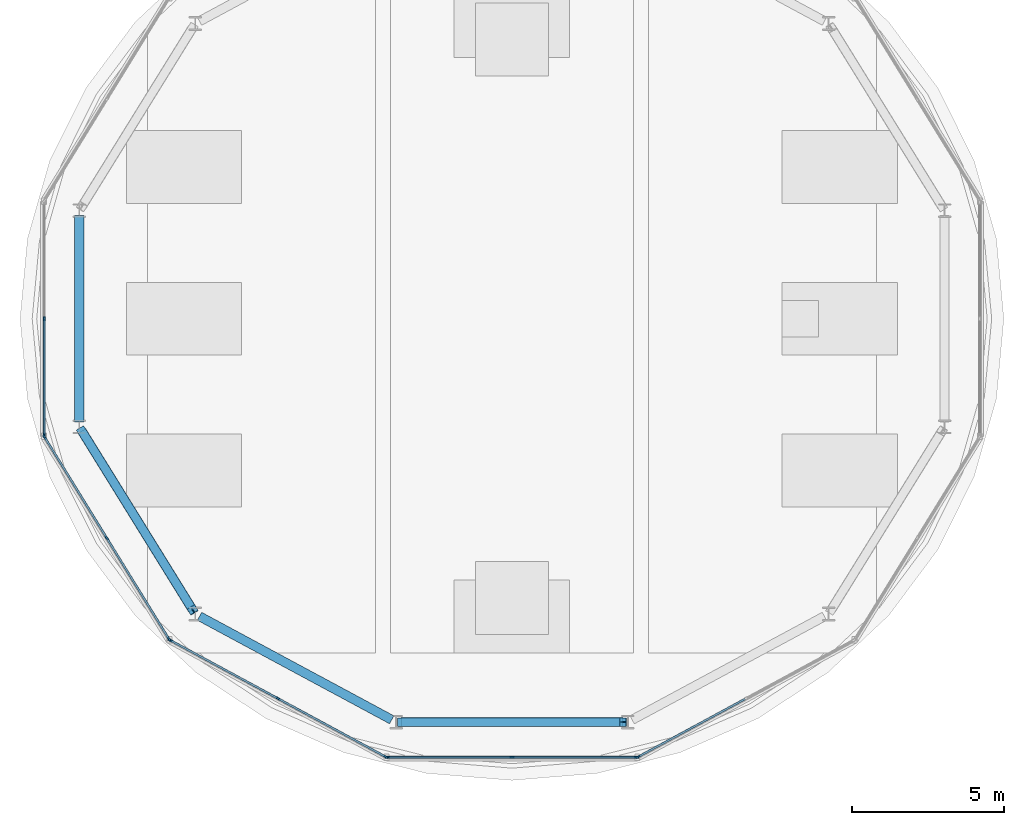
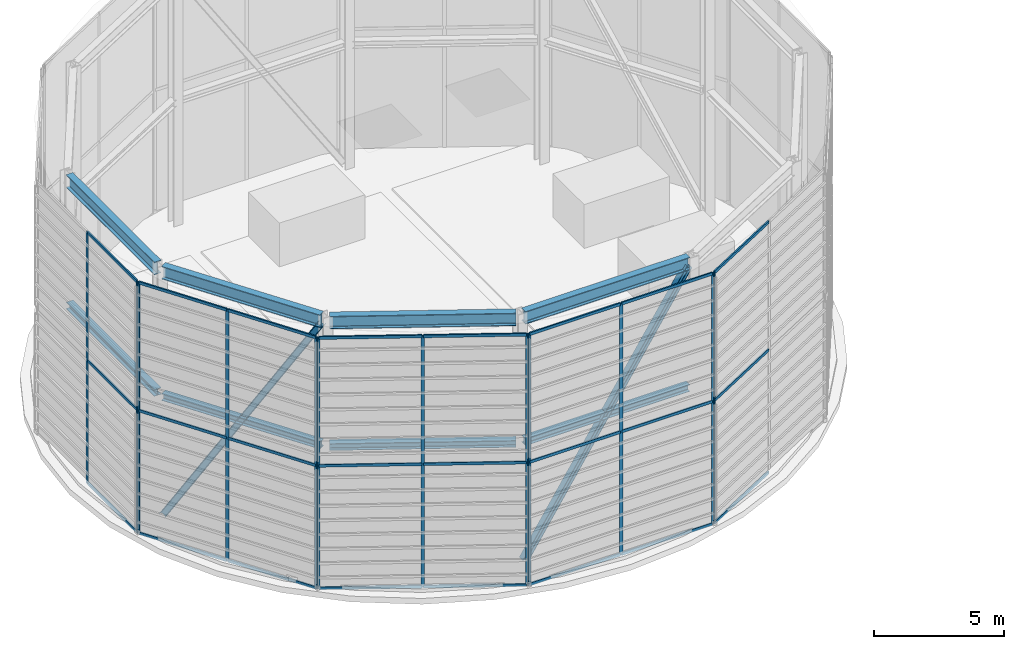
# One storey, part 3 of 17: 38 members, 8 beams, 5 elements without a shape of their own.
"""IFC4 building model written with IfcOpenShell, lengths in metres."""

from ifc_helpers import new_model, si_unit, direction, frame, origin, origin_2d, place, context, subcontext, project, spatial, rectangle, i_section, extrude, source, transform, mapped, material, layer, layer_set, material_profile, profile_set, type_object, type_shapes, element, aggregate, save


model = new_model("IFC4")

# Units and contexts
model_context = context("Model", 3, precision=1e-05, world=origin(), true_north=direction((0.0, 1.0)))
body_context = subcontext(model_context, "Body", "Model", "MODEL_VIEW")
ifc_project = project(units=[si_unit("LENGTHUNIT", "METRE"), si_unit("AREAUNIT", "SQUARE_METRE"), si_unit("VOLUMEUNIT", "CUBIC_METRE"), si_unit("PLANEANGLEUNIT", "RADIAN"), si_unit("MASSUNIT", "GRAM", prefix="KILO")], contexts=[model_context])

# Site, building, storey
site_placement = place(None, origin())
site = spatial("IfcSite", under=ifc_project, at=site_placement, CompositionType="ELEMENT")
building_placement = place(site_placement, origin())
building = spatial("IfcBuilding", under=site, at=building_placement, Name="Norrkilde Senior Care Towers", CompositionType="ELEMENT")
storey_placement = place(building_placement, frame((0.0, 0.0, 249.85009765625)))
storey = spatial("IfcBuildingStorey", under=building, at=storey_placement, Name="RF", CompositionType="ELEMENT", Elevation=249.85009765625)

# Beams
ifc_material_1 = material(Name="Steel S355", Category="steel")
ifc_material_profile_1 = material_profile(ifc_material_1, i_section(OverallWidth=0.300048828125, OverallDepth=0.60009765625, WebThickness=0.015380859375, FlangeThickness=0.030029296875, FilletRadius=0.027099609375, at=origin_2d()), Name="HEB 600")
ifc_profile_set_1 = profile_set([ifc_material_profile_1], Name="Steel S355")
beam_type_1 = type_object("IfcBeamType", Name="Crown Ring Top Girder CROWN FRAME", PredefinedType="USERDEFINED", material=ifc_profile_set_1)
shared_shape_1 = source(origin(), body_context, "Body", "SweptSolid", [
    extrude(i_section(OverallWidth=0.300048828125, OverallDepth=0.60009765625, WebThickness=0.015380859375, FlangeThickness=0.030029296875, FilletRadius=0.027099609375, at=origin_2d()), origin(), (0.0, 0.0, 1.0), 6.93017578125),
])
beam_1_placement = place(storey_placement, frame((-42.1630859375, -3.69482421875, 11.809814453125), z_axis=(0.526520754643, -0.850162275645, 0.0), x_axis=(0.850162275645, 0.526520754643, 0.0)))
element("IfcBeam", 1, at=beam_1_placement, inside=storey, type_object=beam_type_1, Name="RF Drum W Crown Ring Top Girder 07 CROWN FRAME", ObjectType="GIRDER", PredefinedType="USERDEFINED", context=body_context, shape_type="MappedRepresentation", body=[
    mapped(shared_shape_1, transform((0.0, 0.0, 0.0), x_axis=(1.0, 0.0, 0.0), y_axis=(0.0, 1.0, 0.0), z_axis=(0.0, 0.0, 1.0), scale=1.0)),
])
ifc_material_profile_2 = material_profile(ifc_material_1, i_section(OverallWidth=0.300048828125, OverallDepth=0.320068359375, WebThickness=0.011474609375, FlangeThickness=0.0205078125, FilletRadius=0.027099609375, at=origin_2d()), Name="HEB 320")
ifc_profile_set_2 = profile_set([ifc_material_profile_2], Name="Steel S355")
beam_type_2 = type_object("IfcBeamType", Name="Crown Ring Mid Spandrel CROWN FRAME", PredefinedType="SPANDREL", material=ifc_profile_set_2)
shared_shape_2 = source(origin(), body_context, "Body", "SweptSolid", [
    extrude(i_section(OverallWidth=0.300048828125, OverallDepth=0.320068359375, WebThickness=0.011474609375, FlangeThickness=0.0205078125, FilletRadius=0.027099609375, at=origin_2d()), origin(), (0.0, 0.0, 1.0), 6.93017578125),
])
beam_2_placement = place(storey_placement, frame((-42.1630859375, -3.69482421875, 5.949951171875), z_axis=(0.526520754643, -0.850162275645, 0.0), x_axis=(0.850162275645, 0.526520754643, 0.0)))
element("IfcBeam", 2, at=beam_2_placement, inside=storey, type_object=beam_type_2, Name="RF Drum W Crown Ring Mid Spandrel 07 CROWN FRAME", PredefinedType="SPANDREL", context=body_context, shape_type="MappedRepresentation", body=[
    mapped(shared_shape_2, transform((0.0, 0.0, 0.0), x_axis=(1.0, 0.0, 0.0), y_axis=(0.0, 1.0, 0.0), z_axis=(0.0, 0.0, 1.0), scale=1.0)),
])

# Member
ifc_material_profile_3 = material_profile(ifc_material_1, i_section(OverallWidth=0.280029296875, OverallDepth=0.280029296875, WebThickness=0.010498046875, FlangeThickness=0.01806640625, FilletRadius=0.02392578125, at=origin_2d()), Name="HEB 280")
ifc_profile_set_3 = profile_set([ifc_material_profile_3], Name="Steel S355")
member_type_1 = type_object("IfcMemberType", Name="Crown Frame Brace CROWN FRAME", PredefinedType="BRACE", material=ifc_profile_set_3)
shared_shape_3 = source(origin(), body_context, "Body", "SweptSolid", [
    extrude(i_section(OverallWidth=0.280029296875, OverallDepth=0.280029296875, WebThickness=0.010498046875, FlangeThickness=0.01806640625, FilletRadius=0.02392578125, at=origin_2d()), origin(), (0.0, 0.0, 1.0), 13.264404296875),
])
member_1_placement = place(storey_placement, frame((-42.1630859375, -3.69482421875, 0.349853515625), z_axis=(0.275090388538, -0.444182814571, 0.852658727378), x_axis=(0.850162275645, 0.526520754643, 0.0)))
element("IfcMember", 3, at=member_1_placement, inside=storey, type_object=member_type_1, Name="RF Drum W Crown Ring Brace 07 CROWN FRAME", PredefinedType="BRACE", context=body_context, shape_type="MappedRepresentation", body=[
    mapped(shared_shape_3, transform((0.0, 0.0, 0.0), x_axis=(1.0, 0.0, 0.0), y_axis=(0.0, 1.0, 0.0), z_axis=(0.0, 0.0, 1.0), scale=1.0)),
])

# Beams
shared_shape_4 = source(origin(), body_context, "Body", "SweptSolid", [
    extrude(i_section(OverallWidth=0.300048828125, OverallDepth=0.60009765625, WebThickness=0.015380859375, FlangeThickness=0.030029296875, FilletRadius=0.027099609375, at=origin_2d()), origin(), (0.0, 0.0, 1.0), 7.18896484375),
])
beam_3_placement = place(storey_placement, frame((-38.288818359375, -9.798583984375, 11.809814453125), z_axis=(0.880567044237, -0.473921597529, 0.0), x_axis=(0.473921597529, 0.880567044237, 0.0)))
element("IfcBeam", 4, at=beam_3_placement, inside=storey, type_object=beam_type_1, Name="RF Drum W Crown Ring Top Girder 08 CROWN FRAME", ObjectType="GIRDER", PredefinedType="USERDEFINED", context=body_context, shape_type="MappedRepresentation", body=[
    mapped(shared_shape_4, transform((0.0, 0.0, 0.0), x_axis=(1.0, 0.0, 0.0), y_axis=(0.0, 1.0, 0.0), z_axis=(0.0, 0.0, 1.0), scale=1.0)),
])
shared_shape_5 = source(origin(), body_context, "Body", "SweptSolid", [
    extrude(i_section(OverallWidth=0.300048828125, OverallDepth=0.320068359375, WebThickness=0.011474609375, FlangeThickness=0.0205078125, FilletRadius=0.027099609375, at=origin_2d()), origin(), (0.0, 0.0, 1.0), 7.18896484375),
])
beam_4_placement = place(storey_placement, frame((-38.288818359375, -9.798583984375, 5.949951171875), z_axis=(0.880567044237, -0.473921597529, 0.0), x_axis=(0.473921597529, 0.880567044237, 0.0)))
element("IfcBeam", 5, at=beam_4_placement, inside=storey, type_object=beam_type_2, Name="RF Drum W Crown Ring Mid Spandrel 08 CROWN FRAME", PredefinedType="SPANDREL", context=body_context, shape_type="MappedRepresentation", body=[
    mapped(shared_shape_5, transform((0.0, 0.0, 0.0), x_axis=(1.0, 0.0, 0.0), y_axis=(0.0, 1.0, 0.0), z_axis=(0.0, 0.0, 1.0), scale=1.0)),
])
shared_shape_6 = source(origin(), body_context, "Body", "SweptSolid", [
    extrude(i_section(OverallWidth=0.300048828125, OverallDepth=0.60009765625, WebThickness=0.015380859375, FlangeThickness=0.030029296875, FilletRadius=0.027099609375, at=origin_2d()), origin(), (0.0, 0.0, 1.0), 7.31494140625),
])
beam_5_placement = place(storey_placement, frame((-31.657470703125, -13.281494140625, 11.809814453125), z_axis=(1.0, 0.0, 0.0), x_axis=(0.0, 1.0, 0.0)))
element("IfcBeam", 6, at=beam_5_placement, inside=storey, type_object=beam_type_1, Name="RF Drum W Crown Ring Top Girder 09 CROWN FRAME", ObjectType="GIRDER", PredefinedType="USERDEFINED", context=body_context, shape_type="MappedRepresentation", body=[
    mapped(shared_shape_6, transform((0.0, 0.0, 0.0), x_axis=(1.0, 0.0, 0.0), y_axis=(0.0, 1.0, 0.0), z_axis=(0.0, 0.0, 1.0), scale=1.0)),
])
shared_shape_7 = source(origin(), body_context, "Body", "SweptSolid", [
    extrude(i_section(OverallWidth=0.300048828125, OverallDepth=0.320068359375, WebThickness=0.011474609375, FlangeThickness=0.0205078125, FilletRadius=0.027099609375, at=origin_2d()), origin(), (0.0, 0.0, 1.0), 7.31494140625),
])
beam_6_placement = place(storey_placement, frame((-31.657470703125, -13.281494140625, 5.949951171875), z_axis=(1.0, 0.0, 0.0), x_axis=(0.0, 1.0, 0.0)))
element("IfcBeam", 7, at=beam_6_placement, inside=storey, type_object=beam_type_2, Name="RF Drum W Crown Ring Mid Spandrel 09 CROWN FRAME", PredefinedType="SPANDREL", context=body_context, shape_type="MappedRepresentation", body=[
    mapped(shared_shape_7, transform((0.0, 0.0, 0.0), x_axis=(1.0, 0.0, 0.0), y_axis=(0.0, 1.0, 0.0), z_axis=(0.0, 0.0, 1.0), scale=1.0)),
])

# Member
shared_shape_8 = source(origin(), body_context, "Body", "SweptSolid", [
    extrude(i_section(OverallWidth=0.280029296875, OverallDepth=0.280029296875, WebThickness=0.010498046875, FlangeThickness=0.01806640625, FilletRadius=0.02392578125, at=origin_2d()), origin(), (0.0, 0.0, 1.0), 13.469482421875),
])
type_shapes(member_type_1, [shared_shape_3, shared_shape_8])
member_2_placement = place(storey_placement, frame((-31.657470703125, -13.281494140625, 0.349853515625), z_axis=(0.543076907757, 0.0, 0.839682959373), x_axis=(0.0, 1.0, 0.0)))
element("IfcMember", 8, at=member_2_placement, inside=storey, type_object=member_type_1, Name="RF Drum W Crown Ring Brace 09 CROWN FRAME", PredefinedType="BRACE", context=body_context, shape_type="MappedRepresentation", body=[
    mapped(shared_shape_8, transform((0.0, 0.0, 0.0), x_axis=(1.0, 0.0, 0.0), y_axis=(0.0, 1.0, 0.0), z_axis=(0.0, 0.0, 1.0), scale=1.0)),
])

# Beams
shared_shape_9 = source(origin(), body_context, "Body", "SweptSolid", [
    extrude(i_section(OverallWidth=0.300048828125, OverallDepth=0.60009765625, WebThickness=0.015380859375, FlangeThickness=0.030029296875, FilletRadius=0.027099609375, at=origin_2d()), origin(), (0.0, 0.0, 1.0), 6.79736328125),
])
type_shapes(beam_type_1, [shared_shape_1, shared_shape_4, shared_shape_6, shared_shape_9])
beam_7_placement = place(storey_placement, frame((-42.247314453125, 3.398681640625, 11.809814453125), z_axis=(0.0, -1.0, 0.0), x_axis=(1.0, 0.0, 0.0)))
element("IfcBeam", 9, at=beam_7_placement, inside=storey, type_object=beam_type_1, Name="RF Drum W Crown Ring Top Girder 06 CROWN FRAME", ObjectType="GIRDER", PredefinedType="USERDEFINED", context=body_context, shape_type="MappedRepresentation", body=[
    mapped(shared_shape_9, transform((0.0, 0.0, 0.0), x_axis=(1.0, 0.0, 0.0), y_axis=(0.0, 1.0, 0.0), z_axis=(0.0, 0.0, 1.0), scale=1.0)),
])
shared_shape_10 = source(origin(), body_context, "Body", "SweptSolid", [
    extrude(i_section(OverallWidth=0.300048828125, OverallDepth=0.320068359375, WebThickness=0.011474609375, FlangeThickness=0.0205078125, FilletRadius=0.027099609375, at=origin_2d()), origin(), (0.0, 0.0, 1.0), 6.79736328125),
])
type_shapes(beam_type_2, [shared_shape_2, shared_shape_5, shared_shape_7, shared_shape_10])
beam_8_placement = place(storey_placement, frame((-42.247314453125, 3.398681640625, 5.949951171875), z_axis=(0.0, -1.0, 0.0), x_axis=(1.0, 0.0, 0.0)))
element("IfcBeam", 10, at=beam_8_placement, inside=storey, type_object=beam_type_2, Name="RF Drum W Crown Ring Mid Spandrel 06 CROWN FRAME", PredefinedType="SPANDREL", context=body_context, shape_type="MappedRepresentation", body=[
    mapped(shared_shape_10, transform((0.0, 0.0, 0.0), x_axis=(1.0, 0.0, 0.0), y_axis=(0.0, 1.0, 0.0), z_axis=(0.0, 0.0, 1.0), scale=1.0)),
])

# Curtain wall, members
ifc_material_2 = material(Name="Triple Low-E Insulated Glazing", Category="glass")
ifc_layer = layer(ifc_material_2, 0.205078125)
ifc_layer_set = layer_set([ifc_layer], Name="Triple Low-E Insulated Glazing")
curtain_wall_type = type_object("IfcCurtainWallType", Name="CW7 L76 Damper Lantern Clear Curtain Wall", PredefinedType="NOTDEFINED", material=ifc_layer_set)
curtain_wall_1_placement = place(storey_placement, origin())
curtain_wall_1 = element("IfcCurtainWall", 11, at=curtain_wall_1_placement, inside=storey, type_object=curtain_wall_type, Name="RF Ring Crown W Screen Wall 05", PredefinedType="NOTDEFINED")
ifc_material_3 = material(Name="Anodised Aluminium", Category="aluminium")
ifc_material_profile_4 = material_profile(ifc_material_3, rectangle(XDim=0.06005859375, YDim=0.139892578125, at=origin_2d()), Name="ALU MULL 60x140")
ifc_profile_set_4 = profile_set([ifc_material_profile_4], Name="Anodised Aluminium")
member_type_2 = type_object("IfcMemberType", Name="Curtain Wall Mullion Lantern 60x140", PredefinedType="MULLION", material=ifc_profile_set_4)
shared_shape_11 = source(origin(), body_context, "Body", "SweptSolid", [
    extrude(rectangle(XDim=0.06005859375, YDim=0.139892578125, at=origin_2d()), origin(), (0.0, 0.0, 1.0), 11.849853515625),
])
type_shapes(member_type_2, [shared_shape_11])
member_3_placement = place(storey_placement, frame((-43.406494140625, -3.83935546875, 0.0), z_axis=(0.0, 0.0, 1.0), x_axis=(-1.0, 0.0, 0.0)))
member_3 = element("IfcMember", 12, at=member_3_placement, type_object=member_type_2, Name="CW-7 mullion 1", PredefinedType="MULLION", context=body_context, shape_type="MappedRepresentation", body=[
    mapped(shared_shape_11, transform((0.0, 0.0, 0.0), x_axis=(1.0, 0.0, 0.0), y_axis=(0.0, 1.0, 0.0), z_axis=(0.0, 0.0, 1.0), scale=1.0)),
])
member_4_placement = place(storey_placement, frame((-43.406494140625, 0.0, 0.0), z_axis=(0.0, 0.0, 1.0), x_axis=(-1.0, 0.0, 0.0)))
member_4 = element("IfcMember", 13, at=member_4_placement, type_object=member_type_2, Name="CW-7 mullion 2", PredefinedType="MULLION", context=body_context, shape_type="MappedRepresentation", body=[
    mapped(shared_shape_11, transform((0.0, 0.0, 0.0), x_axis=(1.0, 0.0, 0.0), y_axis=(0.0, 1.0, 0.0), z_axis=(0.0, 0.0, 1.0), scale=1.0)),
])

curtain_wall_2_placement = place(storey_placement, origin())
curtain_wall_2 = element("IfcCurtainWall", 14, at=curtain_wall_2_placement, inside=storey, type_object=curtain_wall_type, Name="RF Ring Crown W Screen Wall 06", PredefinedType="NOTDEFINED")
member_5_placement = place(storey_placement, frame((-39.294189453125, -10.545654296875, 0.0), z_axis=(0.0, 0.0, 1.0), x_axis=(-0.85143610846, -0.524458342684, 0.0)))
member_5 = element("IfcMember", 15, at=member_5_placement, type_object=member_type_2, Name="CW-7 mullion 1", PredefinedType="MULLION", context=body_context, shape_type="MappedRepresentation", body=[
    mapped(shared_shape_11, transform((0.0, 0.0, 0.0), x_axis=(1.0, 0.0, 0.0), y_axis=(0.0, 1.0, 0.0), z_axis=(0.0, 0.0, 1.0), scale=1.0)),
])
member_6_placement = place(storey_placement, frame((-41.342529296875, -7.22021484375, 0.0), z_axis=(0.0, 0.0, 1.0), x_axis=(-0.85143610846, -0.524458342684, 0.0)))
member_6 = element("IfcMember", 16, at=member_6_placement, type_object=member_type_2, Name="CW-7 mullion 2", PredefinedType="MULLION", context=body_context, shape_type="MappedRepresentation", body=[
    mapped(shared_shape_11, transform((0.0, 0.0, 0.0), x_axis=(1.0, 0.0, 0.0), y_axis=(0.0, 1.0, 0.0), z_axis=(0.0, 0.0, 1.0), scale=1.0)),
])
member_7_placement = place(storey_placement, frame((-43.390869140625, -3.894775390625, 0.0), z_axis=(0.0, 0.0, 1.0), x_axis=(-0.85143610846, -0.524458342684, 0.0)))
member_7 = element("IfcMember", 17, at=member_7_placement, type_object=member_type_2, Name="CW-7 mullion 3", PredefinedType="MULLION", context=body_context, shape_type="MappedRepresentation", body=[
    mapped(shared_shape_11, transform((0.0, 0.0, 0.0), x_axis=(1.0, 0.0, 0.0), y_axis=(0.0, 1.0, 0.0), z_axis=(0.0, 0.0, 1.0), scale=1.0)),
])

curtain_wall_3_placement = place(storey_placement, origin())
curtain_wall_3 = element("IfcCurtainWall", 18, at=curtain_wall_3_placement, inside=storey, type_object=curtain_wall_type, Name="RF Ring Crown W Screen Wall 07", PredefinedType="NOTDEFINED")
member_8_placement = place(storey_placement, frame((-32.154541015625, -14.42626953125, 0.0), z_axis=(0.0, 0.0, 1.0), x_axis=(-0.475933713829, -0.879481153886, 0.0)))
member_8 = element("IfcMember", 19, at=member_8_placement, type_object=member_type_2, Name="CW-7 mullion 1", PredefinedType="MULLION", context=body_context, shape_type="MappedRepresentation", body=[
    mapped(shared_shape_11, transform((0.0, 0.0, 0.0), x_axis=(1.0, 0.0, 0.0), y_axis=(0.0, 1.0, 0.0), z_axis=(0.0, 0.0, 1.0), scale=1.0)),
])
member_9_placement = place(storey_placement, frame((-35.703369140625, -12.505859375, 0.0), z_axis=(0.0, 0.0, 1.0), x_axis=(-0.475933713829, -0.879481153886, 0.0)))
member_9 = element("IfcMember", 20, at=member_9_placement, type_object=member_type_2, Name="CW-7 mullion 2", PredefinedType="MULLION", context=body_context, shape_type="MappedRepresentation", body=[
    mapped(shared_shape_11, transform((0.0, 0.0, 0.0), x_axis=(1.0, 0.0, 0.0), y_axis=(0.0, 1.0, 0.0), z_axis=(0.0, 0.0, 1.0), scale=1.0)),
])
member_10_placement = place(storey_placement, frame((-39.251953125, -10.58544921875, 0.0), z_axis=(0.0, 0.0, 1.0), x_axis=(-0.475933713829, -0.879481153886, 0.0)))
member_10 = element("IfcMember", 21, at=member_10_placement, type_object=member_type_2, Name="CW-7 mullion 3", PredefinedType="MULLION", context=body_context, shape_type="MappedRepresentation", body=[
    mapped(shared_shape_11, transform((0.0, 0.0, 0.0), x_axis=(1.0, 0.0, 0.0), y_axis=(0.0, 1.0, 0.0), z_axis=(0.0, 0.0, 1.0), scale=1.0)),
])

curtain_wall_4_placement = place(storey_placement, origin())
curtain_wall_4 = element("IfcCurtainWall", 22, at=curtain_wall_4_placement, inside=storey, type_object=curtain_wall_type, Name="RF Ring Crown W Screen Wall 08", PredefinedType="NOTDEFINED")
member_11_placement = place(storey_placement, frame((-23.90185546875, -14.440673828125, 0.0), z_axis=(0.0, 0.0, 1.0), x_axis=(0.0, -1.0, 0.0)))
member_11 = element("IfcMember", 23, at=member_11_placement, type_object=member_type_2, Name="CW-7 mullion 1", PredefinedType="MULLION", context=body_context, shape_type="MappedRepresentation", body=[
    mapped(shared_shape_11, transform((0.0, 0.0, 0.0), x_axis=(1.0, 0.0, 0.0), y_axis=(0.0, 1.0, 0.0), z_axis=(0.0, 0.0, 1.0), scale=1.0)),
])
member_12_placement = place(storey_placement, frame((-28.0, -14.440673828125, 0.0), z_axis=(0.0, 0.0, 1.0), x_axis=(0.0, -1.0, 0.0)))
member_12 = element("IfcMember", 24, at=member_12_placement, type_object=member_type_2, Name="CW-7 mullion 2", PredefinedType="MULLION", context=body_context, shape_type="MappedRepresentation", body=[
    mapped(shared_shape_11, transform((0.0, 0.0, 0.0), x_axis=(1.0, 0.0, 0.0), y_axis=(0.0, 1.0, 0.0), z_axis=(0.0, 0.0, 1.0), scale=1.0)),
])
member_13_placement = place(storey_placement, frame((-32.09814453125, -14.440673828125, 0.0), z_axis=(0.0, 0.0, 1.0), x_axis=(0.0, -1.0, 0.0)))
member_13 = element("IfcMember", 25, at=member_13_placement, type_object=member_type_2, Name="CW-7 mullion 3", PredefinedType="MULLION", context=body_context, shape_type="MappedRepresentation", body=[
    mapped(shared_shape_11, transform((0.0, 0.0, 0.0), x_axis=(1.0, 0.0, 0.0), y_axis=(0.0, 1.0, 0.0), z_axis=(0.0, 0.0, 1.0), scale=1.0)),
])

# Curtain wall, member
curtain_wall_5_placement = place(storey_placement, origin())
curtain_wall_5 = element("IfcCurtainWall", 26, at=curtain_wall_5_placement, inside=storey, type_object=curtain_wall_type, Name="RF Ring Crown W Screen Wall 09", PredefinedType="NOTDEFINED")
member_14_placement = place(storey_placement, frame((-23.845458984375, -14.42626953125, 0.0), z_axis=(0.0, 0.0, 1.0), x_axis=(0.475933713829, -0.879481153886, 0.0)))
member_14 = element("IfcMember", 27, at=member_14_placement, type_object=member_type_2, Name="CW-7 mullion 3", PredefinedType="MULLION", context=body_context, shape_type="MappedRepresentation", body=[
    mapped(shared_shape_11, transform((0.0, 0.0, 0.0), x_axis=(1.0, 0.0, 0.0), y_axis=(0.0, 1.0, 0.0), z_axis=(0.0, 0.0, 1.0), scale=1.0)),
])

# Member
ifc_material_profile_5 = material_profile(ifc_material_3, rectangle(XDim=0.06494140625, YDim=0.1298828125, at=origin_2d()), Name="ALU TRAN 65x130")
ifc_profile_set_5 = profile_set([ifc_material_profile_5], Name="Anodised Aluminium")
member_type_3 = type_object("IfcMemberType", Name="Curtain Wall Transom Heavy 65x130", PredefinedType="USERDEFINED", material=ifc_profile_set_5)
shared_shape_12 = source(origin(), body_context, "Body", "SweptSolid", [
    extrude(rectangle(XDim=0.06494140625, YDim=0.1298828125, at=origin_2d()), origin(), (0.0, 0.0, 1.0), 3.845703125),
])
member_15_placement = place(storey_placement, frame((-39.309814453125, -10.520263671875, 0.032470703125), z_axis=(-0.524440959275, 0.851446815858, 0.0), x_axis=(-0.851446815858, -0.524440959275, 0.0)))
member_15 = element("IfcMember", 28, at=member_15_placement, type_object=member_type_3, Name="CW-7 transom 1.1", ObjectType="TRANSOM", PredefinedType="USERDEFINED", context=body_context, shape_type="MappedRepresentation", body=[
    mapped(shared_shape_12, transform((0.0, 0.0, 0.0), x_axis=(1.0, 0.0, 0.0), y_axis=(0.0, 1.0, 0.0), z_axis=(0.0, 0.0, 1.0), scale=1.0)),
])

member_16_placement = place(storey_placement, frame((-39.309814453125, -10.520263671875, 5.7998046875), z_axis=(-0.524440959275, 0.851446815858, 0.0), x_axis=(-0.851446815858, -0.524440959275, 0.0)))
member_16 = element("IfcMember", 29, at=member_16_placement, type_object=member_type_3, Name="CW-7 transom 1.2", ObjectType="TRANSOM", PredefinedType="USERDEFINED", context=body_context, shape_type="MappedRepresentation", body=[
    mapped(shared_shape_12, transform((0.0, 0.0, 0.0), x_axis=(1.0, 0.0, 0.0), y_axis=(0.0, 1.0, 0.0), z_axis=(0.0, 0.0, 1.0), scale=1.0)),
])

member_17_placement = place(storey_placement, frame((-39.309814453125, -10.520263671875, 11.8173828125), z_axis=(-0.524440959275, 0.851446815858, 0.0), x_axis=(-0.851446815858, -0.524440959275, 0.0)))
member_17 = element("IfcMember", 30, at=member_17_placement, type_object=member_type_3, Name="CW-7 transom 1.3", ObjectType="TRANSOM", PredefinedType="USERDEFINED", context=body_context, shape_type="MappedRepresentation", body=[
    mapped(shared_shape_12, transform((0.0, 0.0, 0.0), x_axis=(1.0, 0.0, 0.0), y_axis=(0.0, 1.0, 0.0), z_axis=(0.0, 0.0, 1.0), scale=1.0)),
])

member_18_placement = place(storey_placement, frame((-41.358154296875, -7.19482421875, 0.032470703125), z_axis=(-0.524440959275, 0.851446815858, 0.0), x_axis=(-0.851446815858, -0.524440959275, 0.0)))
member_18 = element("IfcMember", 31, at=member_18_placement, type_object=member_type_3, Name="CW-7 transom 2.1", ObjectType="TRANSOM", PredefinedType="USERDEFINED", context=body_context, shape_type="MappedRepresentation", body=[
    mapped(shared_shape_12, transform((0.0, 0.0, 0.0), x_axis=(1.0, 0.0, 0.0), y_axis=(0.0, 1.0, 0.0), z_axis=(0.0, 0.0, 1.0), scale=1.0)),
])

member_19_placement = place(storey_placement, frame((-41.358154296875, -7.19482421875, 5.7998046875), z_axis=(-0.524440959275, 0.851446815858, 0.0), x_axis=(-0.851446815858, -0.524440959275, 0.0)))
member_19 = element("IfcMember", 32, at=member_19_placement, type_object=member_type_3, Name="CW-7 transom 2.2", ObjectType="TRANSOM", PredefinedType="USERDEFINED", context=body_context, shape_type="MappedRepresentation", body=[
    mapped(shared_shape_12, transform((0.0, 0.0, 0.0), x_axis=(1.0, 0.0, 0.0), y_axis=(0.0, 1.0, 0.0), z_axis=(0.0, 0.0, 1.0), scale=1.0)),
])

member_20_placement = place(storey_placement, frame((-41.358154296875, -7.19482421875, 11.8173828125), z_axis=(-0.524440959275, 0.851446815858, 0.0), x_axis=(-0.851446815858, -0.524440959275, 0.0)))
member_20 = element("IfcMember", 33, at=member_20_placement, type_object=member_type_3, Name="CW-7 transom 2.3", ObjectType="TRANSOM", PredefinedType="USERDEFINED", context=body_context, shape_type="MappedRepresentation", body=[
    mapped(shared_shape_12, transform((0.0, 0.0, 0.0), x_axis=(1.0, 0.0, 0.0), y_axis=(0.0, 1.0, 0.0), z_axis=(0.0, 0.0, 1.0), scale=1.0)),
])

aggregate(curtain_wall_2, [member_5, member_6, member_7, member_15, member_16, member_17, member_18, member_19, member_20])

shared_shape_13 = source(origin(), body_context, "Body", "SweptSolid", [
    extrude(rectangle(XDim=0.06494140625, YDim=0.1298828125, at=origin_2d()), origin(), (0.0, 0.0, 1.0), 3.974853515625),
])
member_21_placement = place(storey_placement, frame((-32.180908203125, -14.412109375, 0.032470703125), z_axis=(-0.879475172581, 0.475944766557, 0.0), x_axis=(-0.475944766557, -0.879475172581, 0.0)))
member_21 = element("IfcMember", 34, at=member_21_placement, type_object=member_type_3, Name="CW-7 transom 1.1", ObjectType="TRANSOM", PredefinedType="USERDEFINED", context=body_context, shape_type="MappedRepresentation", body=[
    mapped(shared_shape_13, transform((0.0, 0.0, 0.0), x_axis=(1.0, 0.0, 0.0), y_axis=(0.0, 1.0, 0.0), z_axis=(0.0, 0.0, 1.0), scale=1.0)),
])

member_22_placement = place(storey_placement, frame((-32.180908203125, -14.412109375, 5.7998046875), z_axis=(-0.879475172581, 0.475944766557, 0.0), x_axis=(-0.475944766557, -0.879475172581, 0.0)))
member_22 = element("IfcMember", 35, at=member_22_placement, type_object=member_type_3, Name="CW-7 transom 1.2", ObjectType="TRANSOM", PredefinedType="USERDEFINED", context=body_context, shape_type="MappedRepresentation", body=[
    mapped(shared_shape_13, transform((0.0, 0.0, 0.0), x_axis=(1.0, 0.0, 0.0), y_axis=(0.0, 1.0, 0.0), z_axis=(0.0, 0.0, 1.0), scale=1.0)),
])

member_23_placement = place(storey_placement, frame((-32.180908203125, -14.412109375, 11.8173828125), z_axis=(-0.879475172581, 0.475944766557, 0.0), x_axis=(-0.475944766557, -0.879475172581, 0.0)))
member_23 = element("IfcMember", 36, at=member_23_placement, type_object=member_type_3, Name="CW-7 transom 1.3", ObjectType="TRANSOM", PredefinedType="USERDEFINED", context=body_context, shape_type="MappedRepresentation", body=[
    mapped(shared_shape_13, transform((0.0, 0.0, 0.0), x_axis=(1.0, 0.0, 0.0), y_axis=(0.0, 1.0, 0.0), z_axis=(0.0, 0.0, 1.0), scale=1.0)),
])

member_24_placement = place(storey_placement, frame((-35.729736328125, -12.49169921875, 0.032470703125), z_axis=(-0.879475172581, 0.475944766557, 0.0), x_axis=(-0.475944766557, -0.879475172581, 0.0)))
member_24 = element("IfcMember", 37, at=member_24_placement, type_object=member_type_3, Name="CW-7 transom 2.1", ObjectType="TRANSOM", PredefinedType="USERDEFINED", context=body_context, shape_type="MappedRepresentation", body=[
    mapped(shared_shape_13, transform((0.0, 0.0, 0.0), x_axis=(1.0, 0.0, 0.0), y_axis=(0.0, 1.0, 0.0), z_axis=(0.0, 0.0, 1.0), scale=1.0)),
])

member_25_placement = place(storey_placement, frame((-35.729736328125, -12.49169921875, 5.7998046875), z_axis=(-0.879475172581, 0.475944766557, 0.0), x_axis=(-0.475944766557, -0.879475172581, 0.0)))
member_25 = element("IfcMember", 38, at=member_25_placement, type_object=member_type_3, Name="CW-7 transom 2.2", ObjectType="TRANSOM", PredefinedType="USERDEFINED", context=body_context, shape_type="MappedRepresentation", body=[
    mapped(shared_shape_13, transform((0.0, 0.0, 0.0), x_axis=(1.0, 0.0, 0.0), y_axis=(0.0, 1.0, 0.0), z_axis=(0.0, 0.0, 1.0), scale=1.0)),
])

member_26_placement = place(storey_placement, frame((-35.729736328125, -12.49169921875, 11.8173828125), z_axis=(-0.879475172581, 0.475944766557, 0.0), x_axis=(-0.475944766557, -0.879475172581, 0.0)))
member_26 = element("IfcMember", 39, at=member_26_placement, type_object=member_type_3, Name="CW-7 transom 2.3", ObjectType="TRANSOM", PredefinedType="USERDEFINED", context=body_context, shape_type="MappedRepresentation", body=[
    mapped(shared_shape_13, transform((0.0, 0.0, 0.0), x_axis=(1.0, 0.0, 0.0), y_axis=(0.0, 1.0, 0.0), z_axis=(0.0, 0.0, 1.0), scale=1.0)),
])

aggregate(curtain_wall_3, [member_8, member_9, member_10, member_21, member_22, member_23, member_24, member_25, member_26])

member_27_placement = place(storey_placement, frame((-20.3232421875, -12.520263671875, 0.032470703125), z_axis=(-0.879475172581, -0.475944766557, 0.0), x_axis=(0.475944766557, -0.879475172581, 0.0)))
member_27 = element("IfcMember", 40, at=member_27_placement, type_object=member_type_3, Name="CW-7 transom 2.1", ObjectType="TRANSOM", PredefinedType="USERDEFINED", context=body_context, shape_type="MappedRepresentation", body=[
    mapped(shared_shape_13, transform((0.0, 0.0, 0.0), x_axis=(1.0, 0.0, 0.0), y_axis=(0.0, 1.0, 0.0), z_axis=(0.0, 0.0, 1.0), scale=1.0)),
])

member_28_placement = place(storey_placement, frame((-20.3232421875, -12.520263671875, 5.7998046875), z_axis=(-0.879475172581, -0.475944766557, 0.0), x_axis=(0.475944766557, -0.879475172581, 0.0)))
member_28 = element("IfcMember", 41, at=member_28_placement, type_object=member_type_3, Name="CW-7 transom 2.2", ObjectType="TRANSOM", PredefinedType="USERDEFINED", context=body_context, shape_type="MappedRepresentation", body=[
    mapped(shared_shape_13, transform((0.0, 0.0, 0.0), x_axis=(1.0, 0.0, 0.0), y_axis=(0.0, 1.0, 0.0), z_axis=(0.0, 0.0, 1.0), scale=1.0)),
])

member_29_placement = place(storey_placement, frame((-20.3232421875, -12.520263671875, 11.8173828125), z_axis=(-0.879475172581, -0.475944766557, 0.0), x_axis=(0.475944766557, -0.879475172581, 0.0)))
member_29 = element("IfcMember", 42, at=member_29_placement, type_object=member_type_3, Name="CW-7 transom 2.3", ObjectType="TRANSOM", PredefinedType="USERDEFINED", context=body_context, shape_type="MappedRepresentation", body=[
    mapped(shared_shape_13, transform((0.0, 0.0, 0.0), x_axis=(1.0, 0.0, 0.0), y_axis=(0.0, 1.0, 0.0), z_axis=(0.0, 0.0, 1.0), scale=1.0)),
])

aggregate(curtain_wall_5, [member_14, member_27, member_28, member_29])

shared_shape_14 = source(origin(), body_context, "Body", "SweptSolid", [
    extrude(rectangle(XDim=0.06494140625, YDim=0.1298828125, at=origin_2d()), origin(), (0.0, 0.0, 1.0), 4.0380859375),
])
member_30_placement = place(storey_placement, frame((-23.931884765625, -14.440673828125, 0.032470703125), z_axis=(-1.0, 0.0, 0.0), x_axis=(0.0, -1.0, 0.0)))
member_30 = element("IfcMember", 43, at=member_30_placement, type_object=member_type_3, Name="CW-7 transom 1.1", ObjectType="TRANSOM", PredefinedType="USERDEFINED", context=body_context, shape_type="MappedRepresentation", body=[
    mapped(shared_shape_14, transform((0.0, 0.0, 0.0), x_axis=(1.0, 0.0, 0.0), y_axis=(0.0, 1.0, 0.0), z_axis=(0.0, 0.0, 1.0), scale=1.0)),
])

member_31_placement = place(storey_placement, frame((-23.931884765625, -14.440673828125, 5.7998046875), z_axis=(-1.0, 0.0, 0.0), x_axis=(0.0, -1.0, 0.0)))
member_31 = element("IfcMember", 44, at=member_31_placement, type_object=member_type_3, Name="CW-7 transom 1.2", ObjectType="TRANSOM", PredefinedType="USERDEFINED", context=body_context, shape_type="MappedRepresentation", body=[
    mapped(shared_shape_14, transform((0.0, 0.0, 0.0), x_axis=(1.0, 0.0, 0.0), y_axis=(0.0, 1.0, 0.0), z_axis=(0.0, 0.0, 1.0), scale=1.0)),
])

member_32_placement = place(storey_placement, frame((-23.931884765625, -14.440673828125, 11.8173828125), z_axis=(-1.0, 0.0, 0.0), x_axis=(0.0, -1.0, 0.0)))
member_32 = element("IfcMember", 45, at=member_32_placement, type_object=member_type_3, Name="CW-7 transom 1.3", ObjectType="TRANSOM", PredefinedType="USERDEFINED", context=body_context, shape_type="MappedRepresentation", body=[
    mapped(shared_shape_14, transform((0.0, 0.0, 0.0), x_axis=(1.0, 0.0, 0.0), y_axis=(0.0, 1.0, 0.0), z_axis=(0.0, 0.0, 1.0), scale=1.0)),
])

member_33_placement = place(storey_placement, frame((-28.030029296875, -14.440673828125, 0.032470703125), z_axis=(-1.0, 0.0, 0.0), x_axis=(0.0, -1.0, 0.0)))
member_33 = element("IfcMember", 46, at=member_33_placement, type_object=member_type_3, Name="CW-7 transom 2.1", ObjectType="TRANSOM", PredefinedType="USERDEFINED", context=body_context, shape_type="MappedRepresentation", body=[
    mapped(shared_shape_14, transform((0.0, 0.0, 0.0), x_axis=(1.0, 0.0, 0.0), y_axis=(0.0, 1.0, 0.0), z_axis=(0.0, 0.0, 1.0), scale=1.0)),
])

member_34_placement = place(storey_placement, frame((-28.030029296875, -14.440673828125, 5.7998046875), z_axis=(-1.0, 0.0, 0.0), x_axis=(0.0, -1.0, 0.0)))
member_34 = element("IfcMember", 47, at=member_34_placement, type_object=member_type_3, Name="CW-7 transom 2.2", ObjectType="TRANSOM", PredefinedType="USERDEFINED", context=body_context, shape_type="MappedRepresentation", body=[
    mapped(shared_shape_14, transform((0.0, 0.0, 0.0), x_axis=(1.0, 0.0, 0.0), y_axis=(0.0, 1.0, 0.0), z_axis=(0.0, 0.0, 1.0), scale=1.0)),
])

member_35_placement = place(storey_placement, frame((-28.030029296875, -14.440673828125, 11.8173828125), z_axis=(-1.0, 0.0, 0.0), x_axis=(0.0, -1.0, 0.0)))
member_35 = element("IfcMember", 48, at=member_35_placement, type_object=member_type_3, Name="CW-7 transom 2.3", ObjectType="TRANSOM", PredefinedType="USERDEFINED", context=body_context, shape_type="MappedRepresentation", body=[
    mapped(shared_shape_14, transform((0.0, 0.0, 0.0), x_axis=(1.0, 0.0, 0.0), y_axis=(0.0, 1.0, 0.0), z_axis=(0.0, 0.0, 1.0), scale=1.0)),
])

aggregate(curtain_wall_4, [member_11, member_12, member_13, member_30, member_31, member_32, member_33, member_34, member_35])

shared_shape_15 = source(origin(), body_context, "Body", "SweptSolid", [
    extrude(rectangle(XDim=0.06494140625, YDim=0.1298828125, at=origin_2d()), origin(), (0.0, 0.0, 1.0), 3.779296875),
])
type_shapes(member_type_3, [shared_shape_12, shared_shape_13, shared_shape_14, shared_shape_15])
member_36_placement = place(storey_placement, frame((-43.406494140625, -3.809326171875, 0.032470703125), z_axis=(0.0, 1.0, 0.0), x_axis=(-1.0, 0.0, 0.0)))
member_36 = element("IfcMember", 49, at=member_36_placement, type_object=member_type_3, Name="CW-7 transom 1.1", ObjectType="TRANSOM", PredefinedType="USERDEFINED", context=body_context, shape_type="MappedRepresentation", body=[
    mapped(shared_shape_15, transform((0.0, 0.0, 0.0), x_axis=(1.0, 0.0, 0.0), y_axis=(0.0, 1.0, 0.0), z_axis=(0.0, 0.0, 1.0), scale=1.0)),
])

member_37_placement = place(storey_placement, frame((-43.406494140625, -3.809326171875, 5.7998046875), z_axis=(0.0, 1.0, 0.0), x_axis=(-1.0, 0.0, 0.0)))
member_37 = element("IfcMember", 50, at=member_37_placement, type_object=member_type_3, Name="CW-7 transom 1.2", ObjectType="TRANSOM", PredefinedType="USERDEFINED", context=body_context, shape_type="MappedRepresentation", body=[
    mapped(shared_shape_15, transform((0.0, 0.0, 0.0), x_axis=(1.0, 0.0, 0.0), y_axis=(0.0, 1.0, 0.0), z_axis=(0.0, 0.0, 1.0), scale=1.0)),
])

member_38_placement = place(storey_placement, frame((-43.406494140625, -3.809326171875, 11.8173828125), z_axis=(0.0, 1.0, 0.0), x_axis=(-1.0, 0.0, 0.0)))
member_38 = element("IfcMember", 51, at=member_38_placement, type_object=member_type_3, Name="CW-7 transom 1.3", ObjectType="TRANSOM", PredefinedType="USERDEFINED", context=body_context, shape_type="MappedRepresentation", body=[
    mapped(shared_shape_15, transform((0.0, 0.0, 0.0), x_axis=(1.0, 0.0, 0.0), y_axis=(0.0, 1.0, 0.0), z_axis=(0.0, 0.0, 1.0), scale=1.0)),
])

aggregate(curtain_wall_1, [member_3, member_4, member_36, member_37, member_38])

save(model, "model.ifc")
